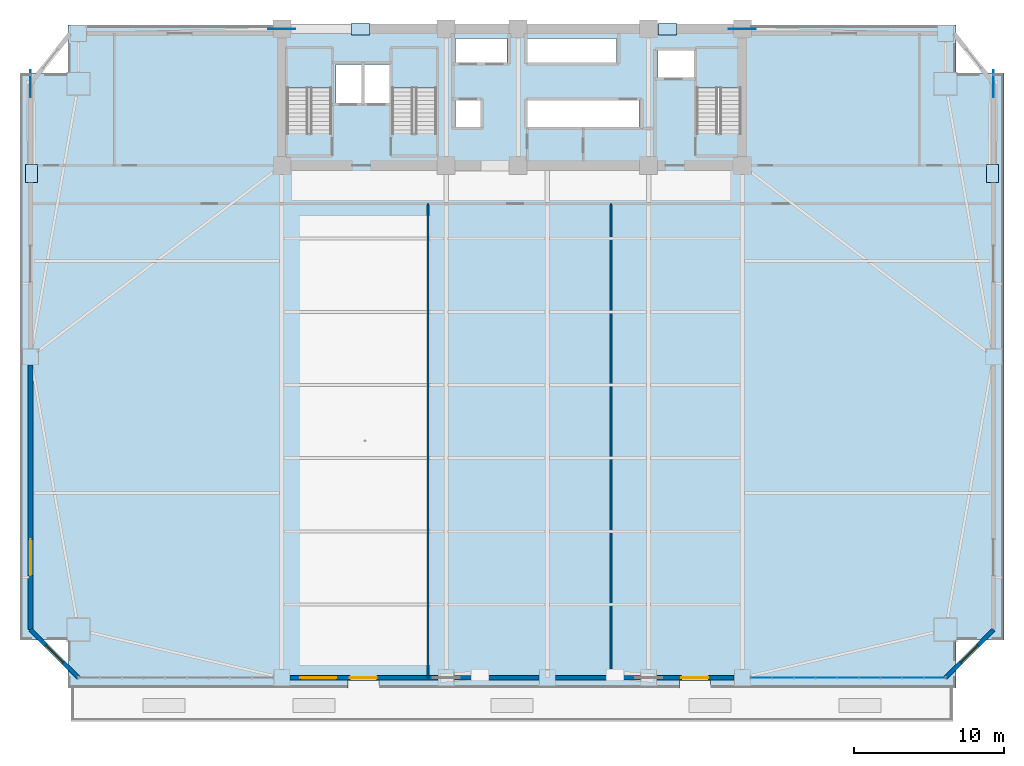
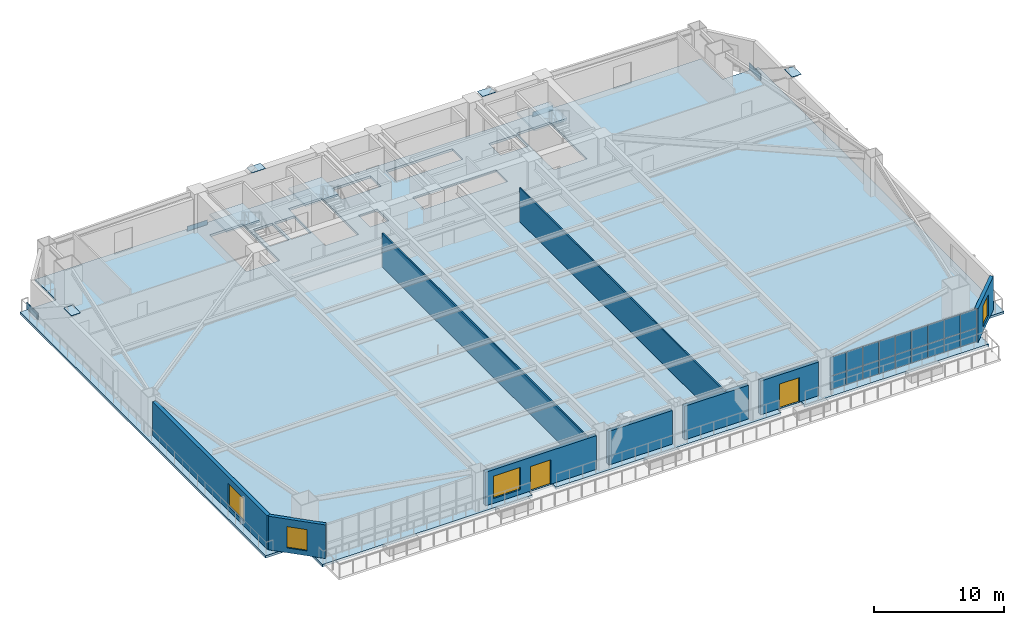
# One storey, part 8 of 17: 26 plates, 9 walls, 4 slabs, 4 windows, 2 doors, 6 openings, 4 elements without a shape of their own.
"""IFC4 building model written with IfcOpenShell, lengths in metres."""

from ifc_helpers import new_model, si_unit, direction, frame, frame_2d, origin, origin_2d, place, context, subcontext, project, spatial, polyline, rectangle, outline, extrude, source, transform, mapped, material, layer, layer_set, type_object, element, fill, aggregate, save


model = new_model("IFC4")

# Units and contexts
model_context = context("Model", 3, precision=1e-05, world=origin(), true_north=direction((0.0, 1.0)))
body_context = subcontext(model_context, "Body", "Model", "MODEL_VIEW")
ifc_project = project(units=[si_unit("LENGTHUNIT", "METRE"), si_unit("AREAUNIT", "SQUARE_METRE"), si_unit("VOLUMEUNIT", "CUBIC_METRE"), si_unit("PLANEANGLEUNIT", "RADIAN"), si_unit("MASSUNIT", "GRAM", prefix="KILO")], contexts=[model_context])

# Site, building, storey
site_placement = place(None, origin())
site = spatial("IfcSite", under=ifc_project, at=site_placement, CompositionType="ELEMENT")
building_placement = place(site_placement, origin())
building = spatial("IfcBuilding", under=site, at=building_placement, Name="Giltprow Tower", CompositionType="ELEMENT")
storey_placement = place(building_placement, frame((0.0, 0.0, 25.39990234375)))
storey = spatial("IfcBuildingStorey", under=building, at=storey_placement, Name="L06", CompositionType="ELEMENT", Elevation=25.39990234375)

# Slab
ifc_material_1 = material(Name="Concrete C40", Category="concrete")
ifc_layer_1 = layer(ifc_material_1, 0.219970703125, Name="Concrete C40")
ifc_layer_set_1 = layer_set([ifc_layer_1], Name="Concrete C40")
slab_type_1 = type_object("IfcSlabType", Name="SLB-OFF-220", PredefinedType="FLOOR", material=ifc_layer_set_1)
slab_1_placement = place(storey_placement, frame((0.0, 0.0, -0.219970703125)))
element("IfcSlab", 1, at=slab_1_placement, inside=storey, type_object=slab_type_1, Name="L06 Structural Composite Floor Slab", PredefinedType="FLOOR", context=body_context, shape_type="SweptSolid", body=[
    extrude(outline(polyline([(5.60009765625, 2.60009765625), (5.60009765625, 5.800048828125), (2.39990234375, 5.800048828125), (2.39990234375, 43.60009765625), (5.60009765625, 43.60009765625), (5.60009765625, 46.800048828125), (64.800048828125, 46.800048828125), (64.800048828125, 43.60009765625), (68.0, 43.60009765625), (68.0, 5.800048828125), (64.800048828125, 5.800048828125), (64.800048828125, 2.60009765625), (48.449951171875, 2.60009765625), (48.449951171875, 3.1201171875), (46.35009765625, 3.1201171875), (46.35009765625, 2.60009765625), (26.35009765625, 2.60009765625), (26.35009765625, 3.1201171875), (24.25, 3.1201171875), (24.25, 2.60009765625), (5.60009765625, 2.60009765625)]), holes=[polyline([(33.10009765625, 41.800048828125), (31.419921875, 41.800048828125), (31.419921875, 40.0), (33.10009765625, 40.0), (33.10009765625, 41.800048828125)]), polyline([(23.159912109375, 39.570068359375), (23.159912109375, 45.25), (20.199951171875, 45.25), (20.199951171875, 39.570068359375), (23.159912109375, 39.570068359375)]), polyline([(30.159912109375, 45.25), (27.199951171875, 45.25), (27.199951171875, 39.570068359375), (30.159912109375, 39.570068359375), (30.159912109375, 45.25)]), polyline([(25.169921875, 41.60009765625), (25.169921875, 44.199951171875), (23.449951171875, 44.199951171875), (23.449951171875, 41.60009765625), (25.169921875, 41.60009765625)]), polyline([(27.10009765625, 41.60009765625), (27.10009765625, 44.199951171875), (25.35009765625, 44.199951171875), (25.35009765625, 41.60009765625), (27.10009765625, 41.60009765625)]), polyline([(43.659912109375, 40.0), (43.659912109375, 41.800048828125), (36.239990234375, 41.800048828125), (36.239990234375, 40.0), (43.659912109375, 40.0)]), polyline([(50.4599609375, 39.570068359375), (50.4599609375, 45.25), (47.5, 45.25), (47.5, 39.570068359375), (50.4599609375, 39.570068359375)]), polyline([(47.3798828125, 45.10009765625), (44.919921875, 45.10009765625), (44.919921875, 43.300048828125), (47.3798828125, 43.300048828125), (47.3798828125, 45.10009765625)]), polyline([(34.8798828125, 44.300048828125), (34.8798828125, 45.919921875), (31.419921875, 45.919921875), (31.419921875, 44.300048828125), (34.8798828125, 44.300048828125)]), polyline([(42.169921875, 44.300048828125), (42.169921875, 45.919921875), (36.239990234375, 45.919921875), (36.239990234375, 44.300048828125), (42.169921875, 44.300048828125)])]), origin(), (0.0, 0.0, 1.0), 0.219970703125),
])

# Stair, slab
stair_type_1 = type_object("IfcStairType", Name="STR-ST-1", PredefinedType="HALF_TURN_STAIR", material=ifc_material_1)
stair_1_placement = place(storey_placement, origin())
stair_1 = element("IfcStair", 2, at=stair_1_placement, inside=storey, type_object=stair_type_1, Name="L06 Core Exit Stair ST-1", PredefinedType="HALF_TURN_STAIR")
ifc_layer_2 = layer(ifc_material_1, 0.179931640625, Name="Concrete C40")
ifc_layer_set_2 = layer_set([ifc_layer_2], Name="Concrete C40")
slab_type_2 = type_object("IfcSlabType", Name="SLD-ST-1", PredefinedType="LANDING", material=ifc_layer_set_2)
slab_2_placement = place(storey_placement, frame((0.0, 0.0, 1.77001953125)))
slab_2 = element("IfcSlab", 3, at=slab_2_placement, type_object=slab_type_2, Name="ST-1 landing 1", PredefinedType="LANDING", context=body_context, shape_type="SweptSolid", body=[
    extrude(outline(polyline([(23.159912109375, 42.6298828125), (23.159912109375, 45.25), (20.199951171875, 45.25), (20.199951171875, 42.6298828125), (23.159912109375, 42.6298828125)])), origin(), (0.0, 0.0, 1.0), 0.18017578125),
])
aggregate(stair_1, [slab_2])

stair_type_2 = type_object("IfcStairType", Name="STR-ST-2", PredefinedType="HALF_TURN_STAIR", material=ifc_material_1)
stair_2_placement = place(storey_placement, origin())
stair_2 = element("IfcStair", 4, at=stair_2_placement, inside=storey, type_object=stair_type_2, Name="L06 Core Exit Stair ST-2", PredefinedType="HALF_TURN_STAIR")
ifc_layer_3 = layer(ifc_material_1, 0.18798828125, Name="Concrete C40")
ifc_layer_set_3 = layer_set([ifc_layer_3], Name="Concrete C40")
slab_type_3 = type_object("IfcSlabType", Name="SLD-ST-2", PredefinedType="LANDING", material=ifc_layer_set_3)
slab_3_placement = place(storey_placement, frame((0.0, 0.0, 1.76220703125)))
slab_3 = element("IfcSlab", 5, at=slab_3_placement, type_object=slab_type_3, Name="ST-2 landing 1", PredefinedType="LANDING", context=body_context, shape_type="SweptSolid", body=[
    extrude(outline(polyline([(30.159912109375, 42.6298828125), (30.159912109375, 45.25), (27.199951171875, 45.25), (27.199951171875, 42.6298828125), (30.159912109375, 42.6298828125)])), origin(), (0.0, 0.0, 1.0), 0.18798828125),
])
aggregate(stair_2, [slab_3])

stair_type_3 = type_object("IfcStairType", Name="STR-ST-3", PredefinedType="HALF_TURN_STAIR", material=ifc_material_1)
stair_3_placement = place(storey_placement, origin())
stair_3 = element("IfcStair", 6, at=stair_3_placement, inside=storey, type_object=stair_type_3, Name="L06 Core Exit Stair ST-3", PredefinedType="HALF_TURN_STAIR")
ifc_layer_4 = layer(ifc_material_1, 0.196044921875, Name="Concrete C40")
ifc_layer_set_4 = layer_set([ifc_layer_4], Name="Concrete C40")
slab_type_4 = type_object("IfcSlabType", Name="SLD-ST-3", PredefinedType="LANDING", material=ifc_layer_set_4)
slab_4_placement = place(storey_placement, frame((0.0, 0.0, 1.754150390625)))
slab_4 = element("IfcSlab", 7, at=slab_4_placement, type_object=slab_type_4, Name="ST-3 landing 1", PredefinedType="LANDING", context=body_context, shape_type="SweptSolid", body=[
    extrude(outline(polyline([(50.4599609375, 42.6298828125), (50.4599609375, 45.25), (47.5, 45.25), (47.5, 42.6298828125), (50.4599609375, 42.6298828125)])), origin(), (0.0, 0.0, 1.0), 0.196044921875),
])
aggregate(stair_3, [slab_4])

# Plates
ifc_material_2 = material(Name="Structural steel Q420GJC", Category="steel")
plate_type_1 = type_object("IfcPlateType", Name="PLT-NODE-MBN1", PredefinedType="USERDEFINED", material=ifc_material_2)
shared_shape_1 = source(origin(), body_context, "Body", "SweptSolid", [
    extrude(rectangle(XDim=1.800048828125, YDim=0.050048828125, at=origin_2d()), origin(), (0.0, 0.0, 1.0), 1.14990234375),
])
for number, where, z_axis, x_axis, name in (
    (8, (19.85009765625, 46.550048828125, -0.71484375), (0.0, 0.0, 1.0), (1.0, 0.0, 0.0), "Mega-Brace Node L06-N-LA"),
    (9, (50.550048828125, 46.550048828125, -0.71484375), (0.0, 0.0, 1.0), (1.0, 0.0, 0.0), "Mega-Brace Node L06-N-RA"),
    (10, (3.10009765625, 42.89990234375, -0.574951171875), (0.0, 0.0, 1.0), (0.0, 1.0, 0.0), "Mega-Brace Node L06-W-RA"),
    (11, (67.300048828125, 42.89990234375, -0.574951171875), (0.0, 0.0, 1.0), (0.0, 1.0, 0.0), "Mega-Brace Node L06-E-RA"),
):
    element("IfcPlate", number, at=place(storey_placement, frame(where, z_axis=z_axis, x_axis=x_axis)), inside=storey, type_object=plate_type_1, Name=name, ObjectType="GUSSET", PredefinedType="USERDEFINED", context=body_context, shape_type="MappedRepresentation", body=[
        mapped(shared_shape_1, transform((0.0, 0.0, 0.0), x_axis=(1.0, 0.0, 0.0), y_axis=(0.0, 1.0, 0.0), z_axis=(0.0, 0.0, 1.0), scale=1.0)),
    ])
plate_type_2 = type_object("IfcPlateType", Name="PLT-CAP-SEAL", PredefinedType="USERDEFINED", material=ifc_material_2)
shared_shape_2 = source(origin(), body_context, "Body", "SweptSolid", [
    extrude(rectangle(XDim=1.199951171875, YDim=0.800048828125, at=origin_2d()), origin(), (0.0, 0.0, 1.0), 0.034912109375),
])
for number, where, z_axis, x_axis, name in (
    (12, (25.10009765625, 46.550048828125, 3.74267578125), (0.0, 0.0, 1.0), (1.0, 0.0, 0.0), "Mega-Brace Node L06-N-LB"),
    (13, (45.56689453125, 46.550048828125, 3.74267578125), (0.0, 0.0, 1.0), (1.0, 0.0, 0.0), "Mega-Brace Node L06-N-RB"),
    (14, (3.177978515625, 36.9208984375, 3.8828125), (0.0, 0.0, 1.0), (0.0, 1.0, 0.0), "Mega-Brace Node L06-W-RB"),
    (15, (67.221923828125, 36.9208984375, 3.8828125), (0.0, 0.0, 1.0), (0.0, 1.0, 0.0), "Mega-Brace Node L06-E-RB"),
):
    element("IfcPlate", number, at=place(storey_placement, frame(where, z_axis=z_axis, x_axis=x_axis)), inside=storey, type_object=plate_type_2, Name=name, ObjectType="SPLICE", PredefinedType="USERDEFINED", context=body_context, shape_type="MappedRepresentation", body=[
        mapped(shared_shape_2, transform((0.0, 0.0, 0.0), x_axis=(1.0, 0.0, 0.0), y_axis=(0.0, 1.0, 0.0), z_axis=(0.0, 0.0, 1.0), scale=1.0)),
    ])

# Curtain wall, plates
ifc_material_3 = material(Name="Anodized bronze", Category="metal")
ifc_layer_5 = layer(ifc_material_3, 0.179931640625, Name="Anodized bronze")
ifc_layer_set_5 = layer_set([ifc_layer_5], Name="Anodized bronze")
curtain_wall_type = type_object("IfcCurtainWallType", Name="CW-SKYGARDEN", PredefinedType="NOTDEFINED", material=ifc_layer_set_5)
curtain_wall_placement = place(storey_placement, origin())
curtain_wall = element("IfcCurtainWall", 16, at=curtain_wall_placement, inside=storey, type_object=curtain_wall_type, Name="L06 South Recessed Curtain Wall 6", PredefinedType="NOTDEFINED")
ifc_material_4 = material(Name="Insulated glass", Category="glass")
plate_type_3 = type_object("IfcPlateType", Name="CW-PANEL-IGU-28", PredefinedType="CURTAIN_PANEL", material=ifc_material_4)
shared_shape_3 = source(origin(), body_context, "Body", "SweptSolid", [
    extrude(rectangle(XDim=1.4140625, YDim=0.028076171875, at=origin_2d()), origin(), (0.0, 0.0, 1.0), 1.259033203125),
])
plate_1_placement = place(storey_placement, frame((51.822021484375, 3.300048828125, 0.0546875), z_axis=(0.0, 0.0, 1.0), x_axis=(1.0, 0.0, 0.0)))
plate_1 = element("IfcPlate", 17, at=plate_1_placement, type_object=plate_type_3, Name="L06 South Recessed Curtain Wall 6 Glazing Panel 1-1", PredefinedType="CURTAIN_PANEL", context=body_context, shape_type="MappedRepresentation", body=[
    mapped(shared_shape_3, transform((0.0, 0.0, 0.0), x_axis=(1.0, 0.0, 0.0), y_axis=(0.0, 1.0, 0.0), z_axis=(0.0, 0.0, 1.0), scale=1.0)),
])
plate_2_placement = place(storey_placement, frame((53.26708984375, 3.300048828125, 0.0546875), z_axis=(0.0, 0.0, 1.0), x_axis=(1.0, 0.0, 0.0)))
plate_2 = element("IfcPlate", 18, at=plate_2_placement, type_object=plate_type_3, Name="L06 South Recessed Curtain Wall 6 Glazing Panel 2-1", PredefinedType="CURTAIN_PANEL", context=body_context, shape_type="MappedRepresentation", body=[
    mapped(shared_shape_3, transform((0.0, 0.0, 0.0), x_axis=(1.0, 0.0, 0.0), y_axis=(0.0, 1.0, 0.0), z_axis=(0.0, 0.0, 1.0), scale=1.0)),
])
plate_3_placement = place(storey_placement, frame((54.7109375, 3.300048828125, 0.0546875), z_axis=(0.0, 0.0, 1.0), x_axis=(1.0, 0.0, 0.0)))
plate_3 = element("IfcPlate", 19, at=plate_3_placement, type_object=plate_type_3, Name="L06 South Recessed Curtain Wall 6 Glazing Panel 3-1", PredefinedType="CURTAIN_PANEL", context=body_context, shape_type="MappedRepresentation", body=[
    mapped(shared_shape_3, transform((0.0, 0.0, 0.0), x_axis=(1.0, 0.0, 0.0), y_axis=(0.0, 1.0, 0.0), z_axis=(0.0, 0.0, 1.0), scale=1.0)),
])
plate_4_placement = place(storey_placement, frame((56.156005859375, 3.300048828125, 0.0546875), z_axis=(0.0, 0.0, 1.0), x_axis=(1.0, 0.0, 0.0)))
plate_4 = element("IfcPlate", 20, at=plate_4_placement, type_object=plate_type_3, Name="L06 South Recessed Curtain Wall 6 Glazing Panel 4-1", PredefinedType="CURTAIN_PANEL", context=body_context, shape_type="MappedRepresentation", body=[
    mapped(shared_shape_3, transform((0.0, 0.0, 0.0), x_axis=(1.0, 0.0, 0.0), y_axis=(0.0, 1.0, 0.0), z_axis=(0.0, 0.0, 1.0), scale=1.0)),
])
plate_5_placement = place(storey_placement, frame((57.60009765625, 3.300048828125, 0.0546875), z_axis=(0.0, 0.0, 1.0), x_axis=(1.0, 0.0, 0.0)))
plate_5 = element("IfcPlate", 21, at=plate_5_placement, type_object=plate_type_3, Name="L06 South Recessed Curtain Wall 6 Glazing Panel 5-1", PredefinedType="CURTAIN_PANEL", context=body_context, shape_type="MappedRepresentation", body=[
    mapped(shared_shape_3, transform((0.0, 0.0, 0.0), x_axis=(1.0, 0.0, 0.0), y_axis=(0.0, 1.0, 0.0), z_axis=(0.0, 0.0, 1.0), scale=1.0)),
])
plate_6_placement = place(storey_placement, frame((59.0439453125, 3.300048828125, 0.0546875), z_axis=(0.0, 0.0, 1.0), x_axis=(1.0, 0.0, 0.0)))
plate_6 = element("IfcPlate", 22, at=plate_6_placement, type_object=plate_type_3, Name="L06 South Recessed Curtain Wall 6 Glazing Panel 6-1", PredefinedType="CURTAIN_PANEL", context=body_context, shape_type="MappedRepresentation", body=[
    mapped(shared_shape_3, transform((0.0, 0.0, 0.0), x_axis=(1.0, 0.0, 0.0), y_axis=(0.0, 1.0, 0.0), z_axis=(0.0, 0.0, 1.0), scale=1.0)),
])
plate_7_placement = place(storey_placement, frame((60.489013671875, 3.300048828125, 0.0546875), z_axis=(0.0, 0.0, 1.0), x_axis=(1.0, 0.0, 0.0)))
plate_7 = element("IfcPlate", 23, at=plate_7_placement, type_object=plate_type_3, Name="L06 South Recessed Curtain Wall 6 Glazing Panel 7-1", PredefinedType="CURTAIN_PANEL", context=body_context, shape_type="MappedRepresentation", body=[
    mapped(shared_shape_3, transform((0.0, 0.0, 0.0), x_axis=(1.0, 0.0, 0.0), y_axis=(0.0, 1.0, 0.0), z_axis=(0.0, 0.0, 1.0), scale=1.0)),
])
plate_8_placement = place(storey_placement, frame((61.93310546875, 3.300048828125, 0.0546875), z_axis=(0.0, 0.0, 1.0), x_axis=(1.0, 0.0, 0.0)))
plate_8 = element("IfcPlate", 24, at=plate_8_placement, type_object=plate_type_3, Name="L06 South Recessed Curtain Wall 6 Glazing Panel 8-1", PredefinedType="CURTAIN_PANEL", context=body_context, shape_type="MappedRepresentation", body=[
    mapped(shared_shape_3, transform((0.0, 0.0, 0.0), x_axis=(1.0, 0.0, 0.0), y_axis=(0.0, 1.0, 0.0), z_axis=(0.0, 0.0, 1.0), scale=1.0)),
])
plate_9_placement = place(storey_placement, frame((63.3779296875, 3.300048828125, 0.0546875), z_axis=(0.0, 0.0, 1.0), x_axis=(1.0, 0.0, 0.0)))
plate_9 = element("IfcPlate", 25, at=plate_9_placement, type_object=plate_type_3, Name="L06 South Recessed Curtain Wall 6 Glazing Panel 9-1", PredefinedType="CURTAIN_PANEL", context=body_context, shape_type="MappedRepresentation", body=[
    mapped(shared_shape_3, transform((0.0, 0.0, 0.0), x_axis=(1.0, 0.0, 0.0), y_axis=(0.0, 1.0, 0.0), z_axis=(0.0, 0.0, 1.0), scale=1.0)),
])
shared_shape_4 = source(origin(), body_context, "Body", "SweptSolid", [
    extrude(rectangle(XDim=1.4140625, YDim=0.028076171875, at=origin_2d()), origin(), (0.0, 0.0, 1.0), 1.764892578125),
])
plate_10_placement = place(storey_placement, frame((51.822021484375, 3.300048828125, 1.3408203125), z_axis=(0.0, 0.0, 1.0), x_axis=(1.0, 0.0, 0.0)))
plate_10 = element("IfcPlate", 26, at=plate_10_placement, type_object=plate_type_3, Name="L06 South Recessed Curtain Wall 6 Glazing Panel 1-2", PredefinedType="CURTAIN_PANEL", context=body_context, shape_type="MappedRepresentation", body=[
    mapped(shared_shape_4, transform((0.0, 0.0, 0.0), x_axis=(1.0, 0.0, 0.0), y_axis=(0.0, 1.0, 0.0), z_axis=(0.0, 0.0, 1.0), scale=1.0)),
])
plate_11_placement = place(storey_placement, frame((53.26708984375, 3.300048828125, 1.3408203125), z_axis=(0.0, 0.0, 1.0), x_axis=(1.0, 0.0, 0.0)))
plate_11 = element("IfcPlate", 27, at=plate_11_placement, type_object=plate_type_3, Name="L06 South Recessed Curtain Wall 6 Glazing Panel 2-2", PredefinedType="CURTAIN_PANEL", context=body_context, shape_type="MappedRepresentation", body=[
    mapped(shared_shape_4, transform((0.0, 0.0, 0.0), x_axis=(1.0, 0.0, 0.0), y_axis=(0.0, 1.0, 0.0), z_axis=(0.0, 0.0, 1.0), scale=1.0)),
])
plate_12_placement = place(storey_placement, frame((54.7109375, 3.300048828125, 1.3408203125), z_axis=(0.0, 0.0, 1.0), x_axis=(1.0, 0.0, 0.0)))
plate_12 = element("IfcPlate", 28, at=plate_12_placement, type_object=plate_type_3, Name="L06 South Recessed Curtain Wall 6 Glazing Panel 3-2", PredefinedType="CURTAIN_PANEL", context=body_context, shape_type="MappedRepresentation", body=[
    mapped(shared_shape_4, transform((0.0, 0.0, 0.0), x_axis=(1.0, 0.0, 0.0), y_axis=(0.0, 1.0, 0.0), z_axis=(0.0, 0.0, 1.0), scale=1.0)),
])
plate_13_placement = place(storey_placement, frame((56.156005859375, 3.300048828125, 1.3408203125), z_axis=(0.0, 0.0, 1.0), x_axis=(1.0, 0.0, 0.0)))
plate_13 = element("IfcPlate", 29, at=plate_13_placement, type_object=plate_type_3, Name="L06 South Recessed Curtain Wall 6 Glazing Panel 4-2", PredefinedType="CURTAIN_PANEL", context=body_context, shape_type="MappedRepresentation", body=[
    mapped(shared_shape_4, transform((0.0, 0.0, 0.0), x_axis=(1.0, 0.0, 0.0), y_axis=(0.0, 1.0, 0.0), z_axis=(0.0, 0.0, 1.0), scale=1.0)),
])
plate_14_placement = place(storey_placement, frame((57.60009765625, 3.300048828125, 1.3408203125), z_axis=(0.0, 0.0, 1.0), x_axis=(1.0, 0.0, 0.0)))
plate_14 = element("IfcPlate", 30, at=plate_14_placement, type_object=plate_type_3, Name="L06 South Recessed Curtain Wall 6 Glazing Panel 5-2", PredefinedType="CURTAIN_PANEL", context=body_context, shape_type="MappedRepresentation", body=[
    mapped(shared_shape_4, transform((0.0, 0.0, 0.0), x_axis=(1.0, 0.0, 0.0), y_axis=(0.0, 1.0, 0.0), z_axis=(0.0, 0.0, 1.0), scale=1.0)),
])
plate_15_placement = place(storey_placement, frame((59.0439453125, 3.300048828125, 1.3408203125), z_axis=(0.0, 0.0, 1.0), x_axis=(1.0, 0.0, 0.0)))
plate_15 = element("IfcPlate", 31, at=plate_15_placement, type_object=plate_type_3, Name="L06 South Recessed Curtain Wall 6 Glazing Panel 6-2", PredefinedType="CURTAIN_PANEL", context=body_context, shape_type="MappedRepresentation", body=[
    mapped(shared_shape_4, transform((0.0, 0.0, 0.0), x_axis=(1.0, 0.0, 0.0), y_axis=(0.0, 1.0, 0.0), z_axis=(0.0, 0.0, 1.0), scale=1.0)),
])
plate_16_placement = place(storey_placement, frame((60.489013671875, 3.300048828125, 1.3408203125), z_axis=(0.0, 0.0, 1.0), x_axis=(1.0, 0.0, 0.0)))
plate_16 = element("IfcPlate", 32, at=plate_16_placement, type_object=plate_type_3, Name="L06 South Recessed Curtain Wall 6 Glazing Panel 7-2", PredefinedType="CURTAIN_PANEL", context=body_context, shape_type="MappedRepresentation", body=[
    mapped(shared_shape_4, transform((0.0, 0.0, 0.0), x_axis=(1.0, 0.0, 0.0), y_axis=(0.0, 1.0, 0.0), z_axis=(0.0, 0.0, 1.0), scale=1.0)),
])
plate_17_placement = place(storey_placement, frame((61.93310546875, 3.300048828125, 1.3408203125), z_axis=(0.0, 0.0, 1.0), x_axis=(1.0, 0.0, 0.0)))
plate_17 = element("IfcPlate", 33, at=plate_17_placement, type_object=plate_type_3, Name="L06 South Recessed Curtain Wall 6 Glazing Panel 8-2", PredefinedType="CURTAIN_PANEL", context=body_context, shape_type="MappedRepresentation", body=[
    mapped(shared_shape_4, transform((0.0, 0.0, 0.0), x_axis=(1.0, 0.0, 0.0), y_axis=(0.0, 1.0, 0.0), z_axis=(0.0, 0.0, 1.0), scale=1.0)),
])
plate_18_placement = place(storey_placement, frame((63.3779296875, 3.300048828125, 1.3408203125), z_axis=(0.0, 0.0, 1.0), x_axis=(1.0, 0.0, 0.0)))
plate_18 = element("IfcPlate", 34, at=plate_18_placement, type_object=plate_type_3, Name="L06 South Recessed Curtain Wall 6 Glazing Panel 9-2", PredefinedType="CURTAIN_PANEL", context=body_context, shape_type="MappedRepresentation", body=[
    mapped(shared_shape_4, transform((0.0, 0.0, 0.0), x_axis=(1.0, 0.0, 0.0), y_axis=(0.0, 1.0, 0.0), z_axis=(0.0, 0.0, 1.0), scale=1.0)),
])
aggregate(curtain_wall, [plate_1, plate_10, plate_2, plate_11, plate_3, plate_12, plate_4, plate_13, plate_5, plate_14, plate_6, plate_15, plate_7, plate_16, plate_8, plate_17, plate_9, plate_18])

# Wall, opening, window
ifc_material_5 = material(Name="Precast concrete C40", Category="concrete")
ifc_layer_6 = layer(ifc_material_5, 0.300048828125, Name="Precast concrete C40")
ifc_layer_set_6 = layer_set([ifc_layer_6], Name="Precast concrete C40")
wall_type_1 = type_object("IfcWallType", Name="EW-NOTCH-CHAMFER-300", PredefinedType="SOLIDWALL", material=ifc_layer_set_6)
wall_1_placement = place(storey_placement, frame((3.10009765625, 6.5, 0.0), z_axis=(0.0, 0.0, 1.0), x_axis=(0.707106781187, -0.707106781187, 0.0)))
wall_1 = element("IfcWall", 35, at=wall_1_placement, inside=storey, type_object=wall_type_1, Name="L06 Corner Notch Wall SW", PredefinedType="SOLIDWALL", context=body_context, shape_type="SweptSolid", body=[
    extrude(rectangle(XDim=4.525390625, YDim=0.300048828125, at=frame_2d((2.2626953125, 0.0))), origin(), (0.0, 0.0, 1.0), 3.16015625),
])
opening_1_placement = place(wall_1_placement, frame((1.462890625, 0.0, 0.449951171875)))
opening_1 = element("IfcOpeningElement", 36, at=opening_1_placement, cuts=wall_1, Name="Opening WN17", PredefinedType="OPENING", context=body_context, shape_type="SweptSolid", body=[
    extrude(rectangle(XDim=1.60009765625, YDim=2.0, at=frame_2d((0.800048828125, 1.0))), frame((0.0, 0.159912109375, 0.0), z_axis=(0.0, -1.0, 0.0), x_axis=(1.0, 0.0, 0.0)), (0.0, 0.0, 1.0), 0.320068359375),
])
window_type_1 = type_object("IfcWindowType", Name="WN-COR-1600x2000", PartitioningType="SINGLE_PANEL", PredefinedType="WINDOW", material=ifc_material_4)
shared_shape_5 = source(origin(), body_context, "Body", "SweptSolid", [
    extrude(rectangle(XDim=1.60009765625, YDim=2.0, at=frame_2d((0.800048828125, 1.0))), frame((0.0, 0.030029296875, 0.0), z_axis=(0.0, -1.0, 0.0), x_axis=(1.0, 0.0, 0.0)), (0.0, 0.0, 1.0), 0.06005859375),
])
window_1_placement = place(opening_1_placement, origin())
window_1 = element("IfcWindow", 37, at=window_1_placement, inside=storey, type_object=window_type_1, Name="L06 Corner Notch Window SW", OverallHeight=2.0, OverallWidth=1.60009765625, PartitioningType="SINGLE_PANEL", PredefinedType="WINDOW", context=body_context, shape_type="MappedRepresentation", body=[
    mapped(shared_shape_5, transform((0.0, 0.0, 0.0), x_axis=(1.0, 0.0, 0.0), y_axis=(0.0, 1.0, 0.0), z_axis=(0.0, 0.0, 1.0), scale=1.0)),
])
fill(opening_1, window_1)

wall_2_placement = place(storey_placement, frame((64.10009765625, 3.300048828125, 0.0), z_axis=(0.0, 0.0, 1.0), x_axis=(0.707106781187, 0.707106781187, 0.0)))
wall_2 = element("IfcWall", 38, at=wall_2_placement, inside=storey, type_object=wall_type_1, Name="L06 Corner Notch Wall SE", PredefinedType="SOLIDWALL", context=body_context, shape_type="SweptSolid", body=[
    extrude(rectangle(XDim=4.525390625, YDim=0.300048828125, at=frame_2d((2.2626953125, 0.0))), origin(), (0.0, 0.0, 1.0), 3.16015625),
])
opening_2_placement = place(wall_2_placement, frame((1.462890625, 0.0, 0.449951171875)))
opening_2 = element("IfcOpeningElement", 39, at=opening_2_placement, cuts=wall_2, Name="Opening WN17", PredefinedType="OPENING", context=body_context, shape_type="SweptSolid", body=[
    extrude(rectangle(XDim=1.60009765625, YDim=2.0, at=frame_2d((0.800048828125, 1.0))), frame((0.0, 0.159912109375, 0.0), z_axis=(0.0, -1.0, 0.0), x_axis=(1.0, 0.0, 0.0)), (0.0, 0.0, 1.0), 0.320068359375),
])
window_2_placement = place(opening_2_placement, origin())
window_2 = element("IfcWindow", 40, at=window_2_placement, inside=storey, type_object=window_type_1, Name="L06 Corner Notch Window SE", OverallHeight=2.0, OverallWidth=1.60009765625, PartitioningType="SINGLE_PANEL", PredefinedType="WINDOW", context=body_context, shape_type="MappedRepresentation", body=[
    mapped(shared_shape_5, transform((0.0, 0.0, 0.0), x_axis=(1.0, 0.0, 0.0), y_axis=(0.0, 1.0, 0.0), z_axis=(0.0, 0.0, 1.0), scale=1.0)),
])
fill(opening_2, window_2)

# Wall, openings, door, window
ifc_layer_7 = layer(ifc_material_5, 0.320068359375, Name="Precast concrete C40")
ifc_layer_set_7 = layer_set([ifc_layer_7], Name="Precast concrete C40")
wall_type_2 = type_object("IfcWallType", Name="EW-TOW-STONE-320", PredefinedType="SOLIDWALL", material=ifc_layer_set_7)
wall_3_placement = place(storey_placement, frame((20.39990234375, 3.300048828125, 0.0), z_axis=(0.0, 0.0, 1.0), x_axis=(1.0, 0.0, 0.0)))
wall_3 = element("IfcWall", 41, at=wall_3_placement, inside=storey, type_object=wall_type_2, Name="L06 South Expressed Frame Wall 2", PredefinedType="SOLIDWALL", context=body_context, shape_type="SweptSolid", body=[
    extrude(rectangle(XDim=9.85009765625, YDim=0.320068359375, at=frame_2d((4.925048828125, 0.0))), origin(), (0.0, 0.0, 1.0), 3.16015625),
])
opening_3_placement = place(wall_3_placement, frame((4.0, 0.0, 0.0)))
opening_3 = element("IfcOpeningElement", 42, at=opening_3_placement, cuts=wall_3, Name="Opening ED15", PredefinedType="OPENING", context=body_context, shape_type="SweptSolid", body=[
    extrude(rectangle(XDim=1.800048828125, YDim=2.300048828125, at=frame_2d((0.89990234375, 1.14990234375))), frame((0.0, 0.169921875, 0.0), z_axis=(0.0, -1.0, 0.0), x_axis=(1.0, 0.0, 0.0)), (0.0, 0.0, 1.0), 0.340087890625),
])
opening_4_placement = place(wall_3_placement, frame((0.699951171875, 0.0, 0.449951171875)))
opening_4 = element("IfcOpeningElement", 43, at=opening_4_placement, cuts=wall_3, Name="Opening WN29", PredefinedType="OPENING", context=body_context, shape_type="SweptSolid", body=[
    extrude(rectangle(XDim=2.39990234375, YDim=2.10009765625, at=frame_2d((1.199951171875, 1.050048828125))), frame((0.0, 0.169921875, 0.0), z_axis=(0.0, -1.0, 0.0), x_axis=(1.0, 0.0, 0.0)), (0.0, 0.0, 1.0), 0.340087890625),
])
ifc_material_6 = material(Name="Anodized bronze and glass", Category="glass")
door_type = type_object("IfcDoorType", Name="DR-TERR-SWING-1800", OperationType="DOUBLE_SWING_LEFT", PredefinedType="DOOR", material=ifc_material_6)
shared_shape_6 = source(origin(), body_context, "Body", "SweptSolid", [
    extrude(rectangle(XDim=1.800048828125, YDim=2.300048828125, at=frame_2d((0.89990234375, 1.14990234375))), frame((0.0, 0.02490234375, 0.0), z_axis=(0.0, -1.0, 0.0), x_axis=(1.0, 0.0, 0.0)), (0.0, 0.0, 1.0), 0.050048828125),
])
door_1_placement = place(opening_3_placement, origin())
door_1 = element("IfcDoor", 44, at=door_1_placement, inside=storey, type_object=door_type, Name="L06 Waterfront Terrace Door 1", OperationType="DOUBLE_SWING_LEFT", OverallHeight=2.300048828125, OverallWidth=1.800048828125, PredefinedType="DOOR", context=body_context, shape_type="MappedRepresentation", body=[
    mapped(shared_shape_6, transform((0.0, 0.0, 0.0), x_axis=(1.0, 0.0, 0.0), y_axis=(0.0, 1.0, 0.0), z_axis=(0.0, 0.0, 1.0), scale=1.0)),
])
fill(opening_3, door_1)
window_type_2 = type_object("IfcWindowType", Name="WN-OFF-2400x2100", PartitioningType="DOUBLE_PANEL_VERTICAL", PredefinedType="WINDOW", material=ifc_material_4)
shared_shape_7 = source(origin(), body_context, "Body", "SweptSolid", [
    extrude(rectangle(XDim=2.39990234375, YDim=2.10009765625, at=frame_2d((1.199951171875, 1.050048828125))), frame((0.0, 0.030029296875, 0.0), z_axis=(0.0, -1.0, 0.0), x_axis=(1.0, 0.0, 0.0)), (0.0, 0.0, 1.0), 0.06005859375),
])
window_3_placement = place(opening_4_placement, origin())
window_3 = element("IfcWindow", 45, at=window_3_placement, inside=storey, type_object=window_type_2, Name="L06 South Window 1", OverallHeight=2.10009765625, OverallWidth=2.39990234375, PartitioningType="SINGLE_PANEL", PredefinedType="WINDOW", context=body_context, shape_type="MappedRepresentation", body=[
    mapped(shared_shape_7, transform((0.0, 0.0, 0.0), x_axis=(1.0, 0.0, 0.0), y_axis=(0.0, 1.0, 0.0), z_axis=(0.0, 0.0, 1.0), scale=1.0)),
])
fill(opening_4, window_3)

# Walls
for number, where, z_axis, x_axis, name in (
    (46, (31.35009765625, 3.300048828125, 0.0), (0.0, 0.0, 1.0), (1.0, 0.0, 0.0), "L06 South Expressed Frame Wall 3"),
    (47, (38.10009765625, 3.300048828125, 0.0), (0.0, 0.0, 1.0), (1.0, 0.0, 0.0), "L06 South Expressed Frame Wall 4"),
):
    element("IfcWall", number, at=place(storey_placement, frame(where, z_axis=z_axis, x_axis=x_axis)), inside=storey, type_object=wall_type_2, Name=name, PredefinedType="SOLIDWALL", context=body_context, shape_type="SweptSolid", body=[
        extrude(rectangle(XDim=5.64990234375, YDim=0.320068359375, at=frame_2d((2.824951171875, 0.0))), origin(), (0.0, 0.0, 1.0), 3.16015625),
    ])

# Wall, opening, door
wall_4_placement = place(storey_placement, frame((44.85009765625, 3.300048828125, 0.0), z_axis=(0.0, 0.0, 1.0), x_axis=(1.0, 0.0, 0.0)))
wall_4 = element("IfcWall", 48, at=wall_4_placement, inside=storey, type_object=wall_type_2, Name="L06 South Expressed Frame Wall 5", PredefinedType="SOLIDWALL", context=body_context, shape_type="SweptSolid", body=[
    extrude(rectangle(XDim=5.14990234375, YDim=0.320068359375, at=frame_2d((2.574951171875, 0.0))), origin(), (0.0, 0.0, 1.0), 3.16015625),
])
opening_5_placement = place(wall_4_placement, frame((1.64990234375, 0.0, 0.0)))
opening_5 = element("IfcOpeningElement", 49, at=opening_5_placement, cuts=wall_4, Name="Opening ED15", PredefinedType="OPENING", context=body_context, shape_type="SweptSolid", body=[
    extrude(rectangle(XDim=1.800048828125, YDim=2.300048828125, at=frame_2d((0.89990234375, 1.14990234375))), frame((0.0, 0.169921875, 0.0), z_axis=(0.0, -1.0, 0.0), x_axis=(1.0, 0.0, 0.0)), (0.0, 0.0, 1.0), 0.340087890625),
])
door_2_placement = place(opening_5_placement, origin())
door_2 = element("IfcDoor", 50, at=door_2_placement, inside=storey, type_object=door_type, Name="L06 Waterfront Terrace Door 2", OperationType="DOUBLE_SWING_RIGHT", OverallHeight=2.300048828125, OverallWidth=1.800048828125, PredefinedType="DOOR", context=body_context, shape_type="MappedRepresentation", body=[
    mapped(shared_shape_6, transform((0.0, 0.0, 0.0), x_axis=(1.0, 0.0, 0.0), y_axis=(0.0, 1.0, 0.0), z_axis=(0.0, 0.0, 1.0), scale=1.0)),
])
fill(opening_5, door_2)

# Wall, opening, window
wall_5_placement = place(storey_placement, frame((3.10009765625, 6.5, 0.0), z_axis=(0.0, 0.0, 1.0), x_axis=(0.0, 1.0, 0.0)))
wall_5 = element("IfcWall", 51, at=wall_5_placement, inside=storey, type_object=wall_type_2, Name="L06 W Wing Masonry Wall 1", PredefinedType="SOLIDWALL", context=body_context, shape_type="SweptSolid", body=[
    extrude(rectangle(XDim=17.64990234375, YDim=0.320068359375, at=frame_2d((8.824951171875, 0.0))), origin(), (0.0, 0.0, 1.0), 3.16015625),
])
opening_6_placement = place(wall_5_placement, frame((3.62890625, 0.0, 0.449951171875)))
opening_6 = element("IfcOpeningElement", 52, at=opening_6_placement, cuts=wall_5, Name="Opening WN29", PredefinedType="OPENING", context=body_context, shape_type="SweptSolid", body=[
    extrude(rectangle(XDim=2.39990234375, YDim=2.10009765625, at=frame_2d((1.199951171875, 1.050048828125))), frame((0.0, 0.169921875, 0.0), z_axis=(0.0, -1.0, 0.0), x_axis=(1.0, 0.0, 0.0)), (0.0, 0.0, 1.0), 0.340087890625),
])
window_4_placement = place(opening_6_placement, origin())
window_4 = element("IfcWindow", 53, at=window_4_placement, inside=storey, type_object=window_type_2, Name="L06 W Wing Window 1-1A", OverallHeight=2.10009765625, OverallWidth=2.39990234375, PartitioningType="SINGLE_PANEL", PredefinedType="WINDOW", context=body_context, shape_type="MappedRepresentation", body=[
    mapped(shared_shape_7, transform((0.0, 0.0, 0.0), x_axis=(1.0, 0.0, 0.0), y_axis=(0.0, 1.0, 0.0), z_axis=(0.0, 0.0, 1.0), scale=1.0)),
])
fill(opening_6, window_4)

# Walls
ifc_material_7 = material(Name="Gypsum stud partition", Category="gypsum")
ifc_layer_8 = layer(ifc_material_7, 0.1201171875, Name="Gypsum stud partition")
ifc_layer_set_8 = layer_set([ifc_layer_8], Name="Gypsum stud partition")
wall_type_3 = type_object("IfcWallType", Name="IW-ROOM-120", PredefinedType="PARTITIONING", material=ifc_layer_set_8)
for number, where, z_axis, x_axis, name in (
    (54, (29.60009765625, 3.300048828125, 0.0), (0.0, 0.0, 1.0), (0.0, 1.0, 0.0), "L06 Office Partition 1"),
    (55, (41.800048828125, 3.300048828125, 0.0), (0.0, 0.0, 1.0), (0.0, 1.0, 0.0), "L06 Office Partition 2"),
):
    element("IfcWall", number, at=place(storey_placement, frame(where, z_axis=z_axis, x_axis=x_axis)), inside=storey, type_object=wall_type_3, Name=name, PredefinedType="PARTITIONING", context=body_context, shape_type="SweptSolid", body=[
        extrude(rectangle(XDim=31.599853515625, YDim=0.1201171875, at=frame_2d((15.7998046875, 0.0))), origin(), (0.0, 0.0, 1.0), 3.1650390625),
    ])

save(model, "model.ifc")
